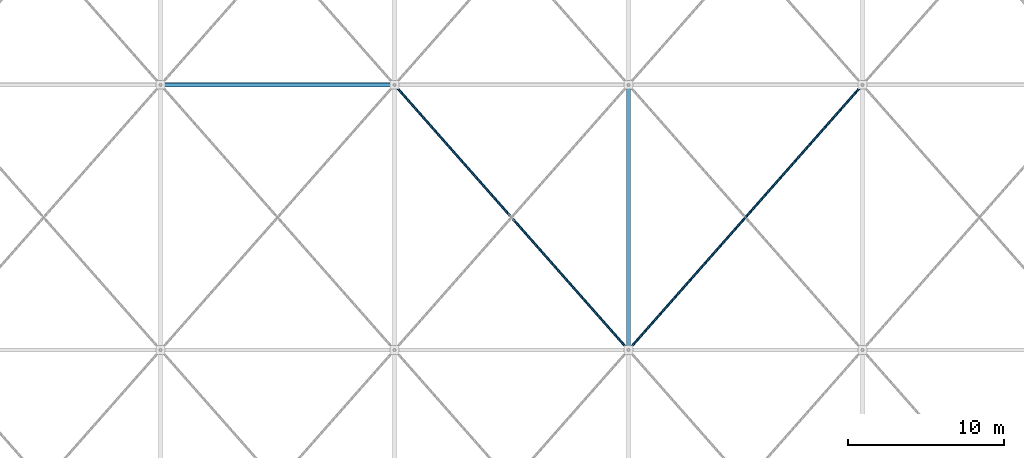
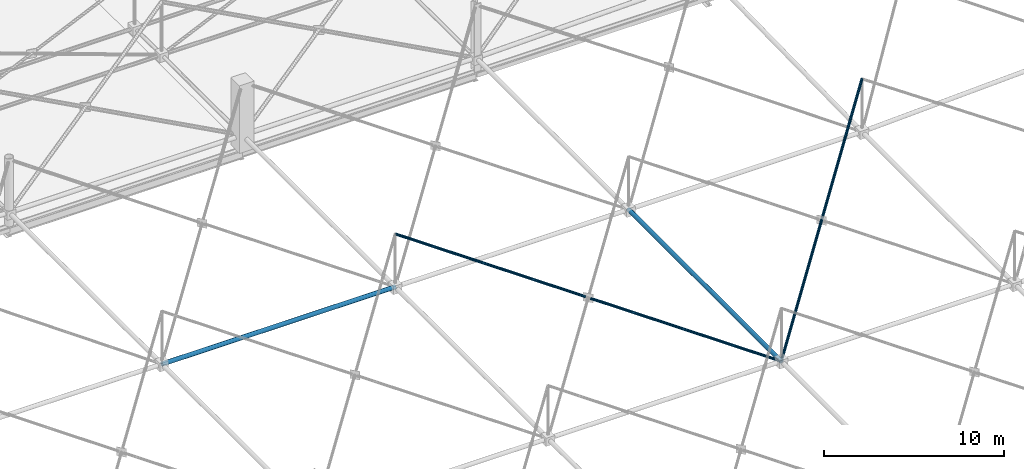
# One storey, part 98 of 224: 5 members.
"""IFC4 building model written with IfcOpenShell, lengths in metres."""

from ifc_helpers import new_model, si_unit, direction, frame, origin, origin_2d, place, context, subcontext, project, spatial, hollow_circle, extrude, material, material_profile, profile_set, type_object, element, save


model = new_model("IFC4")

# Units and contexts
model_context = context("Model", 3, precision=1e-05, world=origin(), true_north=direction((0.0, 1.0)))
body_context = subcontext(model_context, "Body", "Model", "MODEL_VIEW")
ifc_project = project(units=[si_unit("LENGTHUNIT", "METRE"), si_unit("AREAUNIT", "SQUARE_METRE"), si_unit("VOLUMEUNIT", "CUBIC_METRE"), si_unit("PLANEANGLEUNIT", "RADIAN"), si_unit("MASSUNIT", "GRAM", prefix="KILO")], contexts=[model_context])

# Site, building, storey
site_placement = place(None, origin())
site = spatial("IfcSite", under=ifc_project, at=site_placement, CompositionType="ELEMENT")
building_placement = place(site_placement, origin())
building = spatial("IfcBuilding", under=site, at=building_placement, Name="Qamarlyn Nura Convention Centre", CompositionType="ELEMENT")
storey_placement = place(building_placement, frame((0.0, 0.0, 10.800048828125)))
storey = spatial("IfcBuildingStorey", under=building, at=storey_placement, Name="L02", CompositionType="ELEMENT", Elevation=10.800048828125)

# Members
ifc_material = material(Name="Pearl-white PVDF steel ASTM A500 Grade C", Category="steel")
ifc_material_profile_1 = material_profile(ifc_material, hollow_circle(Radius=0.136474609375, WallThickness=0.012451171875, at=origin_2d()), Name="CHS273X12.5")
ifc_profile_set_1 = profile_set([ifc_material_profile_1], Name="Pearl-white PVDF steel ASTM A500 Grade C")
member_type_1 = type_object("IfcMemberType", Name="SF-BC-MAIN", PredefinedType="CHORD", material=ifc_profile_set_1)
member_1_placement = place(storey_placement, frame((45.0, 86.0, 0.800048828125), z_axis=(1.0, 0.0, 0.0), x_axis=(0.0, 1.0, 0.0)))
element("IfcMember", 1, at=member_1_placement, inside=storey, type_object=member_type_1, Name="ROOF TRUSS space frame bottom chord X5-6", PredefinedType="CHORD", context=body_context, shape_type="SweptSolid", body=[
    extrude(hollow_circle(Radius=0.136474609375, WallThickness=0.012451171875, at=origin_2d()), origin(), (0.0, 0.0, 1.0), 15.0),
])
member_2_placement = place(storey_placement, frame((75.0, 69.0, 0.800048828125), z_axis=(0.0, 1.0, 0.0), x_axis=(-1.0, 0.0, 0.0)))
element("IfcMember", 2, at=member_2_placement, inside=storey, type_object=member_type_1, Name="ROOF TRUSS space frame bottom chord Y7-5", PredefinedType="CHORD", context=body_context, shape_type="SweptSolid", body=[
    extrude(hollow_circle(Radius=0.136474609375, WallThickness=0.012451171875, at=origin_2d()), origin(), (0.0, 0.0, 1.0), 17.0),
])
ifc_material_profile_2 = material_profile(ifc_material, hollow_circle(Radius=0.084228515625, WallThickness=0.008056640625, at=origin_2d()), Name="CHS168.3X8")
ifc_profile_set_2 = profile_set([ifc_material_profile_2], Name="Pearl-white PVDF steel ASTM A500 Grade C")
member_type_2 = type_object("IfcMemberType", Name="SF-WEB-STD", PredefinedType="BRACE", material=ifc_profile_set_2)
for number, where, z_axis, x_axis, name in (
    (3, (75.0, 69.0, 0.800048828125), (-0.653436826791, 0.740561737029, 0.156807611557), (-0.749837855365, -0.661621637087, 0.0), "ROOF TRUSS space frame split diagonal B1 6-5"),
    (4, (67.408447265625, 77.603759765625, 2.6220703125), (-0.653436826791, 0.740561737029, 0.156807611557), (-0.749837855365, -0.661621637087, 0.0), "ROOF TRUSS space frame split diagonal B2 6-5"),
):
    element("IfcMember", number, at=place(storey_placement, frame(where, z_axis=z_axis, x_axis=x_axis)), inside=storey, type_object=member_type_2, Name=name, PredefinedType="BRACE", context=body_context, shape_type="SweptSolid", body=[
        extrude(hollow_circle(Radius=0.084228515625, WallThickness=0.008056640625, at=origin_2d()), origin(), (0.0, 0.0, 1.0), 11.337646484375),
    ])
member_3_placement = place(storey_placement, frame((75.0, 69.0, 0.800048828125), z_axis=(0.653305543608, 0.740412949423, 0.158052304691), x_axis=(-0.749837855365, 0.661621637087, 0.0)))
element("IfcMember", 5, at=member_3_placement, inside=storey, type_object=member_type_2, Name="ROOF TRUSS space frame diagonal A 7-5", PredefinedType="BRACE", context=body_context, shape_type="SweptSolid", body=[
    extrude(hollow_circle(Radius=0.084228515625, WallThickness=0.008056640625, at=origin_2d()), origin(), (0.0, 0.0, 1.0), 22.960205078125),
])

save(model, "model.ifc")
